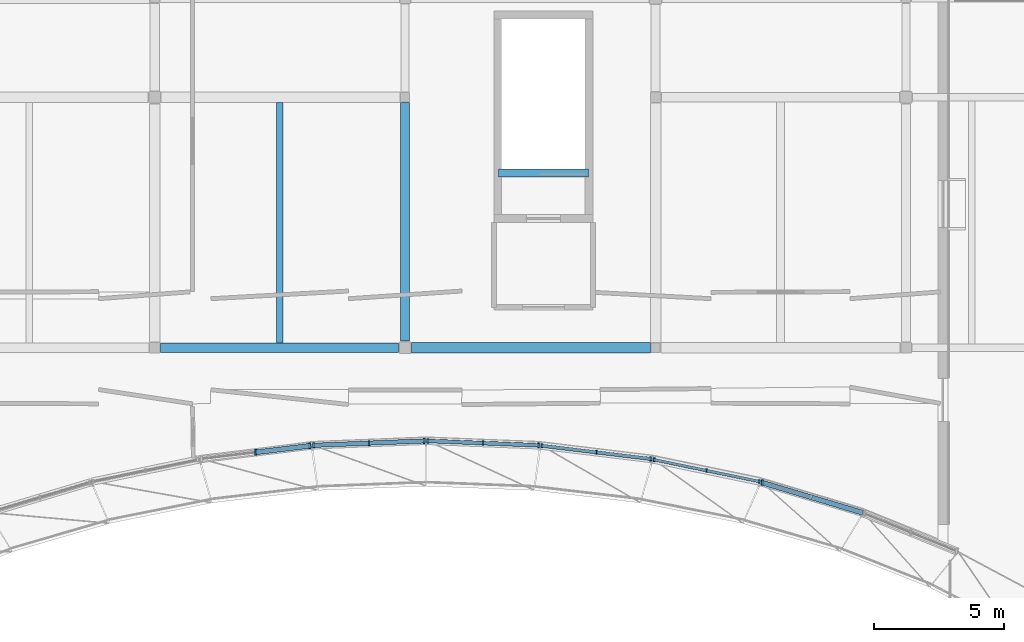
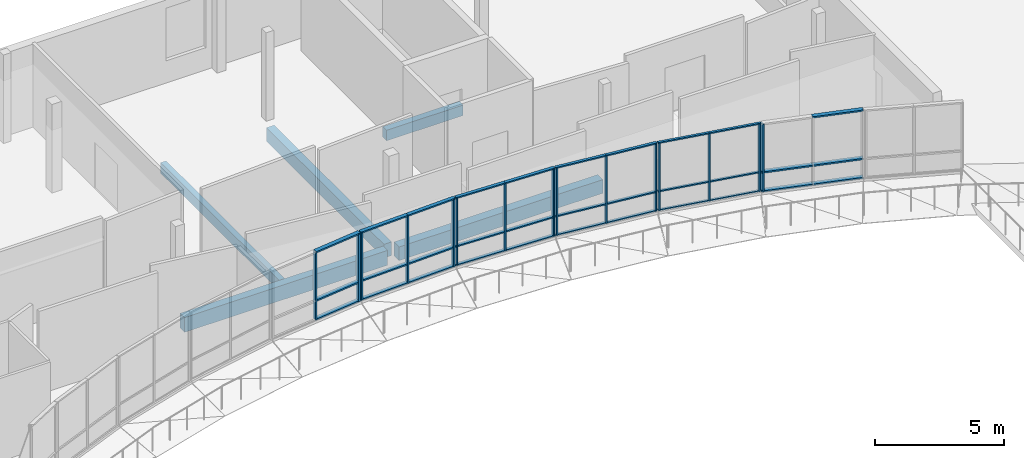
# One storey, part 6 of 18: 47 members, 5 beams, 6 elements without a shape of their own.
"""IFC4 building model written with IfcOpenShell, lengths in metres."""

from ifc_helpers import new_model, si_unit, direction, frame, origin, origin_2d, place, context, subcontext, project, spatial, rectangle, extrude, material, material_profile, profile_set, type_object, element, aggregate, save


model = new_model("IFC4")

# Units and contexts
model_context = context("Model", 3, precision=1e-05, world=origin(), true_north=direction((0.0, 1.0)))
body_context = subcontext(model_context, "Body", "Model", "MODEL_VIEW")
ifc_project = project(units=[si_unit("LENGTHUNIT", "METRE"), si_unit("AREAUNIT", "SQUARE_METRE"), si_unit("VOLUMEUNIT", "CUBIC_METRE"), si_unit("PLANEANGLEUNIT", "RADIAN"), si_unit("MASSUNIT", "GRAM", prefix="KILO")], contexts=[model_context])

# Site, building, storey
site_placement = place(None, origin())
site = spatial("IfcSite", under=ifc_project, at=site_placement, CompositionType="ELEMENT")
building_placement = place(site_placement, origin())
building = spatial("IfcBuilding", under=site, at=building_placement, Name="Mzevani Central Library", CompositionType="ELEMENT")
storey_placement = place(building_placement, frame((0.0, 0.0, 18.300048828125)))
storey = spatial("IfcBuildingStorey", under=building, at=storey_placement, Name="L04", CompositionType="ELEMENT", Elevation=18.300048828125)

# Beams
ifc_material_1 = material(Name="Concrete C35/45", Category="concrete")
ifc_material_profile_1 = material_profile(ifc_material_1, rectangle(XDim=0.300048828125, YDim=0.5, at=origin_2d()), Name="RC B300x500")
ifc_profile_set_1 = profile_set([ifc_material_profile_1], Name="Concrete C35/45")
beam_type_1 = type_object("IfcBeamType", Name="Beam RC 300x500", PredefinedType="BEAM", material=ifc_profile_set_1)
beam_1_placement = place(storey_placement, frame((86.780029296875, 106.699951171875, -0.25), z_axis=(1.0, 0.0, 0.0), x_axis=(0.0, 1.0, 0.0)))
element("IfcBeam", 1, at=beam_1_placement, inside=storey, type_object=beam_type_1, Name="L04 Core C3B Atrium East Escape Stair Stair Opening Trimmer Beam", PredefinedType="BEAM", context=body_context, shape_type="SweptSolid", body=[
    extrude(rectangle(XDim=0.300048828125, YDim=0.5, at=origin_2d()), origin(), (0.0, 0.0, 1.0), 3.43994140625),
])
ifc_material_profile_2 = material_profile(ifc_material_1, rectangle(XDim=0.35009765625, YDim=0.64990234375, at=origin_2d()), Name="RC B350x650")
ifc_profile_set_2 = profile_set([ifc_material_profile_2], Name="Concrete C35/45")
beam_type_2 = type_object("IfcBeamType", Name="Beam RC 350x650", PredefinedType="BEAM", material=ifc_profile_set_2)
beam_2_placement = place(storey_placement, frame((83.199951171875, 100.25, -0.60498046875), z_axis=(0.0, 1.0, 0.0), x_axis=(-1.0, 0.0, 0.0)))
element("IfcBeam", 2, at=beam_2_placement, inside=storey, type_object=beam_type_2, Name="L04 V3 Frame Beam B-05 (740)", PredefinedType="BEAM", context=body_context, shape_type="SweptSolid", body=[
    extrude(rectangle(XDim=0.35009765625, YDim=0.64990234375, at=origin_2d()), origin(), (0.0, 0.0, 1.0), 9.14990234375),
])
ifc_material_profile_3 = material_profile(ifc_material_1, rectangle(XDim=0.35009765625, YDim=0.699951171875, at=origin_2d()), Name="RC B350x700")
ifc_profile_set_3 = profile_set([ifc_material_profile_3], Name="Concrete C35/45")
beam_type_3 = type_object("IfcBeamType", Name="Beam RC 350x700", PredefinedType="BEAM", material=ifc_profile_set_3)
beam_3_placement = place(storey_placement, frame((73.824951171875, 100.0, -0.630126953125), z_axis=(1.0, 0.0, 0.0), x_axis=(0.0, 1.0, 0.0)))
element("IfcBeam", 3, at=beam_3_placement, inside=storey, type_object=beam_type_3, Name="L04 V3 Girder B-06 (709)", PredefinedType="BEAM", context=body_context, shape_type="SweptSolid", body=[
    extrude(rectangle(XDim=0.35009765625, YDim=0.699951171875, at=origin_2d()), origin(), (0.0, 0.0, 1.0), 9.125),
])
ifc_material_profile_4 = material_profile(ifc_material_1, rectangle(XDim=0.39990234375, YDim=0.64990234375, at=origin_2d()), Name="RC B400x650")
ifc_profile_set_4 = profile_set([ifc_material_profile_4], Name="Concrete C35/45")
beam_type_4 = type_object("IfcBeamType", Name="Beam RC 400x650", PredefinedType="BEAM", material=ifc_profile_set_4)
beam_4_placement = place(storey_placement, frame((83.449951171875, 100.0, -0.60498046875), z_axis=(1.0, 0.0, 0.0), x_axis=(0.0, 1.0, 0.0)))
element("IfcBeam", 4, at=beam_4_placement, inside=storey, type_object=beam_type_4, Name="L04 V3 Girder B-07 (710)", PredefinedType="BEAM", context=body_context, shape_type="SweptSolid", body=[
    extrude(rectangle(XDim=0.39990234375, YDim=0.64990234375, at=origin_2d()), origin(), (0.0, 0.0, 1.0), 9.150146484375),
])

# Curtain wall, members
ifc_material_2 = material(Name="Thermally broken aluminium and Low-E triple glazing", Category="aluminium")
curtain_wall_type_1 = type_object("IfcCurtainWallType", Name="Reading Hall Northlight Curtain Wall", PredefinedType="NOTDEFINED", material=ifc_material_2)
curtain_wall_1_placement = place(storey_placement, origin())
curtain_wall_1 = element("IfcCurtainWall", 5, at=curtain_wall_1_placement, inside=storey, type_object=curtain_wall_type_1, Name="L04 Elliptical Court Curtain Wall 10", PredefinedType="NOTDEFINED")
ifc_material_3 = material(Name="Thermally broken aluminium AW-6060", Category="aluminium")
ifc_material_profile_5 = material_profile(ifc_material_3, rectangle(XDim=0.06005859375, YDim=0.139892578125, at=origin_2d()), Name="ALU M60x140")
ifc_profile_set_5 = profile_set([ifc_material_profile_5], Name="Thermally broken aluminium AW-6060")
member_type_1 = type_object("IfcMemberType", Name="CW Mullion 60x140", PredefinedType="MULLION", material=ifc_profile_set_5)
member_1_placement = place(storey_placement, frame((96.76318359375, 94.8759765625, 0.719970703125), z_axis=(0.0, 0.0, 1.0), x_axis=(1.0, 0.0, 0.0)))
member_1 = element("IfcMember", 6, at=member_1_placement, type_object=member_type_1, Name="L04 Elliptical Court Curtain Wall 10 Mullion 1", PredefinedType="MULLION", context=body_context, shape_type="SweptSolid", body=[
    extrude(rectangle(XDim=0.06005859375, YDim=0.139892578125, at=origin_2d()), origin(), (0.0, 0.0, 1.0), 3.199951171875),
])
member_2_placement = place(storey_placement, frame((94.756103515625, 95.290771484375, 0.719970703125), z_axis=(0.0, 0.0, 1.0), x_axis=(1.0, 0.0, 0.0)))
member_2 = element("IfcMember", 7, at=member_2_placement, type_object=member_type_1, Name="L04 Elliptical Court Curtain Wall 10 Mullion 2", PredefinedType="MULLION", context=body_context, shape_type="SweptSolid", body=[
    extrude(rectangle(XDim=0.06005859375, YDim=0.139892578125, at=origin_2d()), origin(), (0.0, 0.0, 1.0), 3.199951171875),
])
member_3_placement = place(storey_placement, frame((92.748779296875, 95.70556640625, 0.719970703125), z_axis=(0.0, 0.0, 1.0), x_axis=(1.0, 0.0, 0.0)))
member_3 = element("IfcMember", 8, at=member_3_placement, type_object=member_type_1, Name="L04 Elliptical Court Curtain Wall 10 Mullion 3", PredefinedType="MULLION", context=body_context, shape_type="SweptSolid", body=[
    extrude(rectangle(XDim=0.06005859375, YDim=0.139892578125, at=origin_2d()), origin(), (0.0, 0.0, 1.0), 3.199951171875),
])

curtain_wall_type_2 = type_object("IfcCurtainWallType", Name="Elliptical Court Unitised Curtain Wall", PredefinedType="NOTDEFINED", material=ifc_material_2)
curtain_wall_2_placement = place(storey_placement, origin())
curtain_wall_2 = element("IfcCurtainWall", 9, at=curtain_wall_2_placement, inside=storey, type_object=curtain_wall_type_2, Name="L04 Elliptical Court Curtain Wall 11", PredefinedType="NOTDEFINED")
ifc_material_profile_6 = material_profile(ifc_material_3, rectangle(XDim=0.06005859375, YDim=0.159912109375, at=origin_2d()), Name="ALU M60x160")
ifc_profile_set_6 = profile_set([ifc_material_profile_6], Name="Thermally broken aluminium AW-6060")
member_type_2 = type_object("IfcMemberType", Name="CW Mullion 60x160", PredefinedType="MULLION", material=ifc_profile_set_6)
member_4_placement = place(storey_placement, frame((92.611572265625, 95.73876953125, 0.719970703125), z_axis=(0.0, 0.0, 1.0), x_axis=(1.0, 0.0, 0.0)))
member_4 = element("IfcMember", 10, at=member_4_placement, type_object=member_type_2, Name="L04 Elliptical Court Curtain Wall 11 Mullion 1", PredefinedType="MULLION", context=body_context, shape_type="SweptSolid", body=[
    extrude(rectangle(XDim=0.06005859375, YDim=0.159912109375, at=origin_2d()), origin(), (0.0, 0.0, 1.0), 3.199951171875),
])
member_5_placement = place(storey_placement, frame((90.531494140625, 95.990478515625, 0.719970703125), z_axis=(0.0, 0.0, 1.0), x_axis=(1.0, 0.0, 0.0)))
member_5 = element("IfcMember", 11, at=member_5_placement, type_object=member_type_2, Name="L04 Elliptical Court Curtain Wall 11 Mullion 2", PredefinedType="MULLION", context=body_context, shape_type="SweptSolid", body=[
    extrude(rectangle(XDim=0.06005859375, YDim=0.159912109375, at=origin_2d()), origin(), (0.0, 0.0, 1.0), 3.199951171875),
])
member_6_placement = place(storey_placement, frame((88.451416015625, 96.242431640625, 0.719970703125), z_axis=(0.0, 0.0, 1.0), x_axis=(1.0, 0.0, 0.0)))
member_6 = element("IfcMember", 12, at=member_6_placement, type_object=member_type_2, Name="L04 Elliptical Court Curtain Wall 11 Mullion 3", PredefinedType="MULLION", context=body_context, shape_type="SweptSolid", body=[
    extrude(rectangle(XDim=0.06005859375, YDim=0.159912109375, at=origin_2d()), origin(), (0.0, 0.0, 1.0), 3.199951171875),
])

curtain_wall_3_placement = place(storey_placement, origin())
curtain_wall_3 = element("IfcCurtainWall", 13, at=curtain_wall_3_placement, inside=storey, type_object=curtain_wall_type_2, Name="L04 Elliptical Court Curtain Wall 12", PredefinedType="NOTDEFINED")
ifc_material_profile_7 = material_profile(ifc_material_3, rectangle(XDim=0.06005859375, YDim=0.179931640625, at=origin_2d()), Name="ALU M60x180")
ifc_profile_set_7 = profile_set([ifc_material_profile_7], Name="Thermally broken aluminium AW-6060")
member_type_3 = type_object("IfcMemberType", Name="CW Mullion 60x180", PredefinedType="MULLION", material=ifc_profile_set_7)
member_7_placement = place(storey_placement, frame((88.30712890625, 96.260009765625, 0.719970703125), z_axis=(0.0, 0.0, 1.0), x_axis=(1.0, 0.0, 0.0)))
member_7 = element("IfcMember", 14, at=member_7_placement, type_object=member_type_3, Name="L04 Elliptical Court Curtain Wall 12 Mullion 1", PredefinedType="MULLION", context=body_context, shape_type="SweptSolid", body=[
    extrude(rectangle(XDim=0.06005859375, YDim=0.179931640625, at=origin_2d()), origin(), (0.0, 0.0, 1.0), 3.199951171875),
])
member_8_placement = place(storey_placement, frame((86.190185546875, 96.344482421875, 0.719970703125), z_axis=(0.0, 0.0, 1.0), x_axis=(1.0, 0.0, 0.0)))
member_8 = element("IfcMember", 15, at=member_8_placement, type_object=member_type_3, Name="L04 Elliptical Court Curtain Wall 12 Mullion 2", PredefinedType="MULLION", context=body_context, shape_type="SweptSolid", body=[
    extrude(rectangle(XDim=0.06005859375, YDim=0.179931640625, at=origin_2d()), origin(), (0.0, 0.0, 1.0), 3.199951171875),
])
member_9_placement = place(storey_placement, frame((84.073486328125, 96.428955078125, 0.719970703125), z_axis=(0.0, 0.0, 1.0), x_axis=(1.0, 0.0, 0.0)))
member_9 = element("IfcMember", 16, at=member_9_placement, type_object=member_type_3, Name="L04 Elliptical Court Curtain Wall 12 Mullion 3", PredefinedType="MULLION", context=body_context, shape_type="SweptSolid", body=[
    extrude(rectangle(XDim=0.06005859375, YDim=0.179931640625, at=origin_2d()), origin(), (0.0, 0.0, 1.0), 3.199951171875),
])

curtain_wall_4_placement = place(storey_placement, origin())
curtain_wall_4 = element("IfcCurtainWall", 17, at=curtain_wall_4_placement, inside=storey, type_object=curtain_wall_type_1, Name="L04 Elliptical Court Curtain Wall 13", PredefinedType="NOTDEFINED")
ifc_material_profile_8 = material_profile(ifc_material_3, rectangle(XDim=0.06494140625, YDim=0.199951171875, at=origin_2d()), Name="ALU M65x200")
ifc_profile_set_8 = profile_set([ifc_material_profile_8], Name="Thermally broken aluminium AW-6060")
member_type_4 = type_object("IfcMemberType", Name="CW Mullion 65x200", PredefinedType="MULLION", material=ifc_profile_set_8)
member_10_placement = place(storey_placement, frame((83.926513671875, 96.428955078125, 0.719970703125), z_axis=(0.0, 0.0, 1.0), x_axis=(1.0, 0.0, 0.0)))
member_10 = element("IfcMember", 18, at=member_10_placement, type_object=member_type_4, Name="L04 Elliptical Court Curtain Wall 13 Mullion 1", PredefinedType="MULLION", context=body_context, shape_type="SweptSolid", body=[
    extrude(rectangle(XDim=0.06494140625, YDim=0.199951171875, at=origin_2d()), origin(), (0.0, 0.0, 1.0), 3.199951171875),
])
member_11_placement = place(storey_placement, frame((81.809814453125, 96.344482421875, 0.719970703125), z_axis=(0.0, 0.0, 1.0), x_axis=(1.0, 0.0, 0.0)))
member_11 = element("IfcMember", 19, at=member_11_placement, type_object=member_type_4, Name="L04 Elliptical Court Curtain Wall 13 Mullion 2", PredefinedType="MULLION", context=body_context, shape_type="SweptSolid", body=[
    extrude(rectangle(XDim=0.06494140625, YDim=0.199951171875, at=origin_2d()), origin(), (0.0, 0.0, 1.0), 3.199951171875),
])
member_12_placement = place(storey_placement, frame((79.69287109375, 96.260009765625, 0.719970703125), z_axis=(0.0, 0.0, 1.0), x_axis=(1.0, 0.0, 0.0)))
member_12 = element("IfcMember", 20, at=member_12_placement, type_object=member_type_4, Name="L04 Elliptical Court Curtain Wall 13 Mullion 3", PredefinedType="MULLION", context=body_context, shape_type="SweptSolid", body=[
    extrude(rectangle(XDim=0.06494140625, YDim=0.199951171875, at=origin_2d()), origin(), (0.0, 0.0, 1.0), 3.199951171875),
])

# Curtain wall, member
curtain_wall_5_placement = place(storey_placement, origin())
curtain_wall_5 = element("IfcCurtainWall", 21, at=curtain_wall_5_placement, inside=storey, type_object=curtain_wall_type_2, Name="L04 Elliptical Court Curtain Wall 9", PredefinedType="NOTDEFINED")
ifc_material_profile_9 = material_profile(ifc_material_3, rectangle(XDim=0.070068359375, YDim=0.219970703125, at=origin_2d()), Name="ALU M70x220")
ifc_profile_set_9 = profile_set([ifc_material_profile_9], Name="Thermally broken aluminium AW-6060")
member_type_5 = type_object("IfcMemberType", Name="CW Mullion 70x220", PredefinedType="MULLION", material=ifc_profile_set_9)
member_13_placement = place(storey_placement, frame((96.8916015625, 94.830322265625, 0.719970703125), z_axis=(0.0, 0.0, 1.0), x_axis=(1.0, 0.0, 0.0)))
member_13 = element("IfcMember", 22, at=member_13_placement, type_object=member_type_5, Name="L04 Elliptical Court Curtain Wall 9 Mullion 3", PredefinedType="MULLION", context=body_context, shape_type="SweptSolid", body=[
    extrude(rectangle(XDim=0.070068359375, YDim=0.219970703125, at=origin_2d()), origin(), (0.0, 0.0, 1.0), 3.199951171875),
])

# Curtain wall, members
curtain_wall_6_placement = place(storey_placement, origin())
curtain_wall_6 = element("IfcCurtainWall", 23, at=curtain_wall_6_placement, inside=storey, type_object=curtain_wall_type_2, Name="L04 Elliptical Court Curtain Wall 14", PredefinedType="NOTDEFINED")
member_14_placement = place(storey_placement, frame((79.548583984375, 96.242431640625, 0.719970703125), z_axis=(0.0, 0.0, 1.0), x_axis=(1.0, 0.0, 0.0)))
member_14 = element("IfcMember", 24, at=member_14_placement, type_object=member_type_5, Name="L04 Elliptical Court Curtain Wall 14 Mullion 1", PredefinedType="MULLION", context=body_context, shape_type="SweptSolid", body=[
    extrude(rectangle(XDim=0.070068359375, YDim=0.219970703125, at=origin_2d()), origin(), (0.0, 0.0, 1.0), 3.199951171875),
])
member_15_placement = place(storey_placement, frame((77.468505859375, 95.990478515625, 0.719970703125), z_axis=(0.0, 0.0, 1.0), x_axis=(1.0, 0.0, 0.0)))
member_15 = element("IfcMember", 25, at=member_15_placement, type_object=member_type_5, Name="L04 Elliptical Court Curtain Wall 14 Mullion 2", PredefinedType="MULLION", context=body_context, shape_type="SweptSolid", body=[
    extrude(rectangle(XDim=0.070068359375, YDim=0.219970703125, at=origin_2d()), origin(), (0.0, 0.0, 1.0), 3.199951171875),
])

# Member
ifc_material_profile_10 = material_profile(ifc_material_3, rectangle(XDim=0.110107421875, YDim=0.06005859375, at=origin_2d()), Name="ALU T60x110")
ifc_profile_set_10 = profile_set([ifc_material_profile_10], Name="Thermally broken aluminium AW-6060")
member_type_6 = type_object("IfcMemberType", Name="CW Transom 60x110", PredefinedType="USERDEFINED", material=ifc_profile_set_10)
member_16_placement = place(storey_placement, frame((96.812255859375, 94.865966796875, 0.719970703125), z_axis=(-0.979317658988, 0.202328749304, 0.0), x_axis=(-0.202328749304, -0.979317658988, 0.0)))
member_16 = element("IfcMember", 26, at=member_16_placement, type_object=member_type_6, Name="L04 Elliptical Court Curtain Wall 10 Transom 1", ObjectType="TRANSOM", PredefinedType="USERDEFINED", context=body_context, shape_type="SweptSolid", body=[
    extrude(rectangle(XDim=0.110107421875, YDim=0.06005859375, at=origin_2d()), origin(), (0.0, 0.0, 1.0), 2.099609375),
])

member_17_placement = place(storey_placement, frame((96.812255859375, 94.865966796875, 1.619873046875), z_axis=(-0.979317658988, 0.202328749304, 0.0), x_axis=(-0.202328749304, -0.979317658988, 0.0)))
member_17 = element("IfcMember", 27, at=member_17_placement, type_object=member_type_6, Name="L04 Elliptical Court Curtain Wall 10 Transom 2", ObjectType="TRANSOM", PredefinedType="USERDEFINED", context=body_context, shape_type="SweptSolid", body=[
    extrude(rectangle(XDim=0.110107421875, YDim=0.06005859375, at=origin_2d()), origin(), (0.0, 0.0, 1.0), 2.099609375),
])

member_18_placement = place(storey_placement, frame((96.812255859375, 94.865966796875, 3.919921875), z_axis=(-0.979317658988, 0.202328749304, 0.0), x_axis=(-0.202328749304, -0.979317658988, 0.0)))
member_18 = element("IfcMember", 28, at=member_18_placement, type_object=member_type_6, Name="L04 Elliptical Court Curtain Wall 10 Transom 3", ObjectType="TRANSOM", PredefinedType="USERDEFINED", context=body_context, shape_type="SweptSolid", body=[
    extrude(rectangle(XDim=0.110107421875, YDim=0.06005859375, at=origin_2d()), origin(), (0.0, 0.0, 1.0), 2.099609375),
])

member_19_placement = place(storey_placement, frame((94.756103515625, 95.290771484375, 0.719970703125), z_axis=(-0.979294612806, 0.202440266076, 0.0), x_axis=(-0.202440266076, -0.979294612806, 0.0)))
member_19 = element("IfcMember", 29, at=member_19_placement, type_object=member_type_6, Name="L04 Elliptical Court Curtain Wall 10 Transom 4", ObjectType="TRANSOM", PredefinedType="USERDEFINED", context=body_context, shape_type="SweptSolid", body=[
    extrude(rectangle(XDim=0.110107421875, YDim=0.06005859375, at=origin_2d()), origin(), (0.0, 0.0, 1.0), 2.099609375),
])

member_20_placement = place(storey_placement, frame((94.756103515625, 95.290771484375, 1.619873046875), z_axis=(-0.979294612806, 0.202440266076, 0.0), x_axis=(-0.202440266076, -0.979294612806, 0.0)))
member_20 = element("IfcMember", 30, at=member_20_placement, type_object=member_type_6, Name="L04 Elliptical Court Curtain Wall 10 Transom 5", ObjectType="TRANSOM", PredefinedType="USERDEFINED", context=body_context, shape_type="SweptSolid", body=[
    extrude(rectangle(XDim=0.110107421875, YDim=0.06005859375, at=origin_2d()), origin(), (0.0, 0.0, 1.0), 2.099609375),
])

member_21_placement = place(storey_placement, frame((94.756103515625, 95.290771484375, 3.919921875), z_axis=(-0.979294612806, 0.202440266076, 0.0), x_axis=(-0.202440266076, -0.979294612806, 0.0)))
member_21 = element("IfcMember", 31, at=member_21_placement, type_object=member_type_6, Name="L04 Elliptical Court Curtain Wall 10 Transom 6", ObjectType="TRANSOM", PredefinedType="USERDEFINED", context=body_context, shape_type="SweptSolid", body=[
    extrude(rectangle(XDim=0.110107421875, YDim=0.06005859375, at=origin_2d()), origin(), (0.0, 0.0, 1.0), 2.099609375),
])

aggregate(curtain_wall_1, [member_1, member_2, member_3, member_16, member_17, member_18, member_19, member_20, member_21])

ifc_material_profile_11 = material_profile(ifc_material_3, rectangle(XDim=0.1298828125, YDim=0.06005859375, at=origin_2d()), Name="ALU T60x130")
ifc_profile_set_11 = profile_set([ifc_material_profile_11], Name="Thermally broken aluminium AW-6060")
member_type_7 = type_object("IfcMemberType", Name="CW Transom 60x130", PredefinedType="USERDEFINED", material=ifc_profile_set_11)
member_22_placement = place(storey_placement, frame((92.6611328125, 95.732666015625, 0.719970703125), z_axis=(-0.992751897741, 0.120181818642, 0.0), x_axis=(-0.120181818642, -0.992751897741, 0.0)))
member_22 = element("IfcMember", 32, at=member_22_placement, type_object=member_type_7, Name="L04 Elliptical Court Curtain Wall 11 Transom 1", ObjectType="TRANSOM", PredefinedType="USERDEFINED", context=body_context, shape_type="SweptSolid", body=[
    extrude(rectangle(XDim=0.1298828125, YDim=0.06005859375, at=origin_2d()), origin(), (0.0, 0.0, 1.0), 2.145263671875),
])

member_23_placement = place(storey_placement, frame((92.6611328125, 95.732666015625, 1.619873046875), z_axis=(-0.992751897741, 0.120181818642, 0.0), x_axis=(-0.120181818642, -0.992751897741, 0.0)))
member_23 = element("IfcMember", 33, at=member_23_placement, type_object=member_type_7, Name="L04 Elliptical Court Curtain Wall 11 Transom 2", ObjectType="TRANSOM", PredefinedType="USERDEFINED", context=body_context, shape_type="SweptSolid", body=[
    extrude(rectangle(XDim=0.1298828125, YDim=0.06005859375, at=origin_2d()), origin(), (0.0, 0.0, 1.0), 2.145263671875),
])

member_24_placement = place(storey_placement, frame((92.6611328125, 95.732666015625, 3.919921875), z_axis=(-0.992751897741, 0.120181818642, 0.0), x_axis=(-0.120181818642, -0.992751897741, 0.0)))
member_24 = element("IfcMember", 34, at=member_24_placement, type_object=member_type_7, Name="L04 Elliptical Court Curtain Wall 11 Transom 3", ObjectType="TRANSOM", PredefinedType="USERDEFINED", context=body_context, shape_type="SweptSolid", body=[
    extrude(rectangle(XDim=0.1298828125, YDim=0.06005859375, at=origin_2d()), origin(), (0.0, 0.0, 1.0), 2.145263671875),
])

member_25_placement = place(storey_placement, frame((90.531494140625, 95.990478515625, 0.719970703125), z_axis=(-0.99273831301, 0.120293981068, 0.0), x_axis=(-0.120293981068, -0.99273831301, 0.0)))
member_25 = element("IfcMember", 35, at=member_25_placement, type_object=member_type_7, Name="L04 Elliptical Court Curtain Wall 11 Transom 4", ObjectType="TRANSOM", PredefinedType="USERDEFINED", context=body_context, shape_type="SweptSolid", body=[
    extrude(rectangle(XDim=0.1298828125, YDim=0.06005859375, at=origin_2d()), origin(), (0.0, 0.0, 1.0), 2.145263671875),
])

member_26_placement = place(storey_placement, frame((90.531494140625, 95.990478515625, 1.619873046875), z_axis=(-0.99273831301, 0.120293981068, 0.0), x_axis=(-0.120293981068, -0.99273831301, 0.0)))
member_26 = element("IfcMember", 36, at=member_26_placement, type_object=member_type_7, Name="L04 Elliptical Court Curtain Wall 11 Transom 5", ObjectType="TRANSOM", PredefinedType="USERDEFINED", context=body_context, shape_type="SweptSolid", body=[
    extrude(rectangle(XDim=0.1298828125, YDim=0.06005859375, at=origin_2d()), origin(), (0.0, 0.0, 1.0), 2.145263671875),
])

member_27_placement = place(storey_placement, frame((90.531494140625, 95.990478515625, 3.919921875), z_axis=(-0.99273831301, 0.120293981068, 0.0), x_axis=(-0.120293981068, -0.99273831301, 0.0)))
member_27 = element("IfcMember", 37, at=member_27_placement, type_object=member_type_7, Name="L04 Elliptical Court Curtain Wall 11 Transom 6", ObjectType="TRANSOM", PredefinedType="USERDEFINED", context=body_context, shape_type="SweptSolid", body=[
    extrude(rectangle(XDim=0.1298828125, YDim=0.06005859375, at=origin_2d()), origin(), (0.0, 0.0, 1.0), 2.145263671875),
])

aggregate(curtain_wall_2, [member_4, member_5, member_6, member_22, member_23, member_24, member_25, member_26, member_27])

ifc_material_profile_12 = material_profile(ifc_material_3, rectangle(XDim=0.14990234375, YDim=0.06005859375, at=origin_2d()), Name="ALU T60x150")
ifc_profile_set_12 = profile_set([ifc_material_profile_12], Name="Thermally broken aluminium AW-6060")
member_type_8 = type_object("IfcMemberType", Name="CW Transom 60x150", PredefinedType="USERDEFINED", material=ifc_profile_set_12)
member_28_placement = place(storey_placement, frame((88.35693359375, 96.258056640625, 0.719970703125), z_axis=(-0.999205448666, 0.039855631417, 0.0), x_axis=(-0.039855631417, -0.999205448666, 0.0)))
member_28 = element("IfcMember", 38, at=member_28_placement, type_object=member_type_8, Name="L04 Elliptical Court Curtain Wall 12 Transom 1", ObjectType="TRANSOM", PredefinedType="USERDEFINED", context=body_context, shape_type="SweptSolid", body=[
    extrude(rectangle(XDim=0.14990234375, YDim=0.06005859375, at=origin_2d()), origin(), (0.0, 0.0, 1.0), 2.16845703125),
])

member_29_placement = place(storey_placement, frame((88.35693359375, 96.258056640625, 1.619873046875), z_axis=(-0.999205448666, 0.039855631417, 0.0), x_axis=(-0.039855631417, -0.999205448666, 0.0)))
member_29 = element("IfcMember", 39, at=member_29_placement, type_object=member_type_8, Name="L04 Elliptical Court Curtain Wall 12 Transom 2", ObjectType="TRANSOM", PredefinedType="USERDEFINED", context=body_context, shape_type="SweptSolid", body=[
    extrude(rectangle(XDim=0.14990234375, YDim=0.06005859375, at=origin_2d()), origin(), (0.0, 0.0, 1.0), 2.16845703125),
])

member_30_placement = place(storey_placement, frame((88.35693359375, 96.258056640625, 3.919921875), z_axis=(-0.999205448666, 0.039855631417, 0.0), x_axis=(-0.039855631417, -0.999205448666, 0.0)))
member_30 = element("IfcMember", 40, at=member_30_placement, type_object=member_type_8, Name="L04 Elliptical Court Curtain Wall 12 Transom 3", ObjectType="TRANSOM", PredefinedType="USERDEFINED", context=body_context, shape_type="SweptSolid", body=[
    extrude(rectangle(XDim=0.14990234375, YDim=0.06005859375, at=origin_2d()), origin(), (0.0, 0.0, 1.0), 2.16845703125),
])

member_31_placement = place(storey_placement, frame((86.190185546875, 96.344482421875, 0.719970703125), z_axis=(-0.999205448666, 0.039855631417, 0.0), x_axis=(-0.039855631417, -0.999205448666, 0.0)))
member_31 = element("IfcMember", 41, at=member_31_placement, type_object=member_type_8, Name="L04 Elliptical Court Curtain Wall 12 Transom 4", ObjectType="TRANSOM", PredefinedType="USERDEFINED", context=body_context, shape_type="SweptSolid", body=[
    extrude(rectangle(XDim=0.14990234375, YDim=0.06005859375, at=origin_2d()), origin(), (0.0, 0.0, 1.0), 2.16845703125),
])

member_32_placement = place(storey_placement, frame((86.190185546875, 96.344482421875, 1.619873046875), z_axis=(-0.999205448666, 0.039855631417, 0.0), x_axis=(-0.039855631417, -0.999205448666, 0.0)))
member_32 = element("IfcMember", 42, at=member_32_placement, type_object=member_type_8, Name="L04 Elliptical Court Curtain Wall 12 Transom 5", ObjectType="TRANSOM", PredefinedType="USERDEFINED", context=body_context, shape_type="SweptSolid", body=[
    extrude(rectangle(XDim=0.14990234375, YDim=0.06005859375, at=origin_2d()), origin(), (0.0, 0.0, 1.0), 2.16845703125),
])

member_33_placement = place(storey_placement, frame((86.190185546875, 96.344482421875, 3.919921875), z_axis=(-0.999205448666, 0.039855631417, 0.0), x_axis=(-0.039855631417, -0.999205448666, 0.0)))
member_33 = element("IfcMember", 43, at=member_33_placement, type_object=member_type_8, Name="L04 Elliptical Court Curtain Wall 12 Transom 6", ObjectType="TRANSOM", PredefinedType="USERDEFINED", context=body_context, shape_type="SweptSolid", body=[
    extrude(rectangle(XDim=0.14990234375, YDim=0.06005859375, at=origin_2d()), origin(), (0.0, 0.0, 1.0), 2.16845703125),
])

aggregate(curtain_wall_3, [member_7, member_8, member_9, member_28, member_29, member_30, member_31, member_32, member_33])

ifc_material_profile_13 = material_profile(ifc_material_3, rectangle(XDim=0.169921875, YDim=0.06494140625, at=origin_2d()), Name="ALU T65x170")
ifc_profile_set_13 = profile_set([ifc_material_profile_13], Name="Thermally broken aluminium AW-6060")
member_type_9 = type_object("IfcMemberType", Name="CW Transom 65x170", PredefinedType="USERDEFINED", material=ifc_profile_set_13)
member_34_placement = place(storey_placement, frame((83.9765625, 96.430908203125, 0.719970703125), z_axis=(-0.999205448666, -0.039855631417, 0.0), x_axis=(0.039855631417, -0.999205448666, 0.0)))
member_34 = element("IfcMember", 44, at=member_34_placement, type_object=member_type_9, Name="L04 Elliptical Court Curtain Wall 13 Transom 1", ObjectType="TRANSOM", PredefinedType="USERDEFINED", context=body_context, shape_type="SweptSolid", body=[
    extrude(rectangle(XDim=0.169921875, YDim=0.06494140625, at=origin_2d()), origin(), (0.0, 0.0, 1.0), 2.16845703125),
])

member_35_placement = place(storey_placement, frame((83.9765625, 96.430908203125, 1.619873046875), z_axis=(-0.999205448666, -0.039855631417, 0.0), x_axis=(0.039855631417, -0.999205448666, 0.0)))
member_35 = element("IfcMember", 45, at=member_35_placement, type_object=member_type_9, Name="L04 Elliptical Court Curtain Wall 13 Transom 2", ObjectType="TRANSOM", PredefinedType="USERDEFINED", context=body_context, shape_type="SweptSolid", body=[
    extrude(rectangle(XDim=0.169921875, YDim=0.06494140625, at=origin_2d()), origin(), (0.0, 0.0, 1.0), 2.16845703125),
])

member_36_placement = place(storey_placement, frame((83.9765625, 96.430908203125, 3.919921875), z_axis=(-0.999205448666, -0.039855631417, 0.0), x_axis=(0.039855631417, -0.999205448666, 0.0)))
member_36 = element("IfcMember", 46, at=member_36_placement, type_object=member_type_9, Name="L04 Elliptical Court Curtain Wall 13 Transom 3", ObjectType="TRANSOM", PredefinedType="USERDEFINED", context=body_context, shape_type="SweptSolid", body=[
    extrude(rectangle(XDim=0.169921875, YDim=0.06494140625, at=origin_2d()), origin(), (0.0, 0.0, 1.0), 2.16845703125),
])

member_37_placement = place(storey_placement, frame((81.809814453125, 96.344482421875, 0.719970703125), z_axis=(-0.999205448666, -0.039855631417, 0.0), x_axis=(0.039855631417, -0.999205448666, 0.0)))
member_37 = element("IfcMember", 47, at=member_37_placement, type_object=member_type_9, Name="L04 Elliptical Court Curtain Wall 13 Transom 4", ObjectType="TRANSOM", PredefinedType="USERDEFINED", context=body_context, shape_type="SweptSolid", body=[
    extrude(rectangle(XDim=0.169921875, YDim=0.06494140625, at=origin_2d()), origin(), (0.0, 0.0, 1.0), 2.16845703125),
])

member_38_placement = place(storey_placement, frame((81.809814453125, 96.344482421875, 1.619873046875), z_axis=(-0.999205448666, -0.039855631417, 0.0), x_axis=(0.039855631417, -0.999205448666, 0.0)))
member_38 = element("IfcMember", 48, at=member_38_placement, type_object=member_type_9, Name="L04 Elliptical Court Curtain Wall 13 Transom 5", ObjectType="TRANSOM", PredefinedType="USERDEFINED", context=body_context, shape_type="SweptSolid", body=[
    extrude(rectangle(XDim=0.169921875, YDim=0.06494140625, at=origin_2d()), origin(), (0.0, 0.0, 1.0), 2.16845703125),
])

member_39_placement = place(storey_placement, frame((81.809814453125, 96.344482421875, 3.919921875), z_axis=(-0.999205448666, -0.039855631417, 0.0), x_axis=(0.039855631417, -0.999205448666, 0.0)))
member_39 = element("IfcMember", 49, at=member_39_placement, type_object=member_type_9, Name="L04 Elliptical Court Curtain Wall 13 Transom 6", ObjectType="TRANSOM", PredefinedType="USERDEFINED", context=body_context, shape_type="SweptSolid", body=[
    extrude(rectangle(XDim=0.169921875, YDim=0.06494140625, at=origin_2d()), origin(), (0.0, 0.0, 1.0), 2.16845703125),
])

aggregate(curtain_wall_4, [member_10, member_11, member_12, member_34, member_35, member_36, member_37, member_38, member_39])

ifc_material_profile_14 = material_profile(ifc_material_3, rectangle(XDim=0.18994140625, YDim=0.070068359375, at=origin_2d()), Name="ALU T70x190")
ifc_profile_set_14 = profile_set([ifc_material_profile_14], Name="Thermally broken aluminium AW-6060")
member_type_10 = type_object("IfcMemberType", Name="CW Transom 70x190", PredefinedType="USERDEFINED", material=ifc_profile_set_14)
member_40_placement = place(storey_placement, frame((100.738525390625, 93.67529296875, 0.719970703125), z_axis=(-0.957763475746, 0.287557167408, 0.0), x_axis=(-0.287557167408, -0.957763475746, 0.0)))
member_40 = element("IfcMember", 50, at=member_40_placement, type_object=member_type_10, Name="L04 Elliptical Court Curtain Wall 9 Transom 1", ObjectType="TRANSOM", PredefinedType="USERDEFINED", context=body_context, shape_type="SweptSolid", body=[
    extrude(rectangle(XDim=0.18994140625, YDim=0.070068359375, at=origin_2d()), origin(), (0.0, 0.0, 1.0), 2.033447265625),
])

member_41_placement = place(storey_placement, frame((100.738525390625, 93.67529296875, 1.619873046875), z_axis=(-0.957763475746, 0.287557167408, 0.0), x_axis=(-0.287557167408, -0.957763475746, 0.0)))
member_41 = element("IfcMember", 51, at=member_41_placement, type_object=member_type_10, Name="L04 Elliptical Court Curtain Wall 9 Transom 2", ObjectType="TRANSOM", PredefinedType="USERDEFINED", context=body_context, shape_type="SweptSolid", body=[
    extrude(rectangle(XDim=0.18994140625, YDim=0.070068359375, at=origin_2d()), origin(), (0.0, 0.0, 1.0), 2.033447265625),
])

member_42_placement = place(storey_placement, frame((100.738525390625, 93.67529296875, 3.919921875), z_axis=(-0.957763475746, 0.287557167408, 0.0), x_axis=(-0.287557167408, -0.957763475746, 0.0)))
member_42 = element("IfcMember", 52, at=member_42_placement, type_object=member_type_10, Name="L04 Elliptical Court Curtain Wall 9 Transom 3", ObjectType="TRANSOM", PredefinedType="USERDEFINED", context=body_context, shape_type="SweptSolid", body=[
    extrude(rectangle(XDim=0.18994140625, YDim=0.070068359375, at=origin_2d()), origin(), (0.0, 0.0, 1.0), 2.033447265625),
])

member_43_placement = place(storey_placement, frame((98.791015625, 94.260009765625, 0.719970703125), z_axis=(-0.957763475746, 0.287557167408, 0.0), x_axis=(-0.287557167408, -0.957763475746, 0.0)))
member_43 = element("IfcMember", 53, at=member_43_placement, type_object=member_type_10, Name="L04 Elliptical Court Curtain Wall 9 Transom 4", ObjectType="TRANSOM", PredefinedType="USERDEFINED", context=body_context, shape_type="SweptSolid", body=[
    extrude(rectangle(XDim=0.18994140625, YDim=0.070068359375, at=origin_2d()), origin(), (0.0, 0.0, 1.0), 2.033447265625),
])

member_44_placement = place(storey_placement, frame((98.791015625, 94.260009765625, 1.619873046875), z_axis=(-0.957763475746, 0.287557167408, 0.0), x_axis=(-0.287557167408, -0.957763475746, 0.0)))
member_44 = element("IfcMember", 54, at=member_44_placement, type_object=member_type_10, Name="L04 Elliptical Court Curtain Wall 9 Transom 5", ObjectType="TRANSOM", PredefinedType="USERDEFINED", context=body_context, shape_type="SweptSolid", body=[
    extrude(rectangle(XDim=0.18994140625, YDim=0.070068359375, at=origin_2d()), origin(), (0.0, 0.0, 1.0), 2.033447265625),
])

aggregate(curtain_wall_5, [member_13, member_40, member_41, member_42, member_43, member_44])

member_45_placement = place(storey_placement, frame((79.59814453125, 96.24853515625, 0.719970703125), z_axis=(-0.99273831301, -0.120293981068, 0.0), x_axis=(0.120293981068, -0.99273831301, 0.0)))
member_45 = element("IfcMember", 55, at=member_45_placement, type_object=member_type_10, Name="L04 Elliptical Court Curtain Wall 14 Transom 1", ObjectType="TRANSOM", PredefinedType="USERDEFINED", context=body_context, shape_type="SweptSolid", body=[
    extrude(rectangle(XDim=0.18994140625, YDim=0.070068359375, at=origin_2d()), origin(), (0.0, 0.0, 1.0), 2.145263671875),
])

member_46_placement = place(storey_placement, frame((79.59814453125, 96.24853515625, 1.619873046875), z_axis=(-0.99273831301, -0.120293981068, 0.0), x_axis=(0.120293981068, -0.99273831301, 0.0)))
member_46 = element("IfcMember", 56, at=member_46_placement, type_object=member_type_10, Name="L04 Elliptical Court Curtain Wall 14 Transom 2", ObjectType="TRANSOM", PredefinedType="USERDEFINED", context=body_context, shape_type="SweptSolid", body=[
    extrude(rectangle(XDim=0.18994140625, YDim=0.070068359375, at=origin_2d()), origin(), (0.0, 0.0, 1.0), 2.145263671875),
])

member_47_placement = place(storey_placement, frame((79.59814453125, 96.24853515625, 3.919921875), z_axis=(-0.99273831301, -0.120293981068, 0.0), x_axis=(0.120293981068, -0.99273831301, 0.0)))
member_47 = element("IfcMember", 57, at=member_47_placement, type_object=member_type_10, Name="L04 Elliptical Court Curtain Wall 14 Transom 3", ObjectType="TRANSOM", PredefinedType="USERDEFINED", context=body_context, shape_type="SweptSolid", body=[
    extrude(rectangle(XDim=0.18994140625, YDim=0.070068359375, at=origin_2d()), origin(), (0.0, 0.0, 1.0), 2.145263671875),
])

aggregate(curtain_wall_6, [member_14, member_15, member_45, member_46, member_47])

# Beam
ifc_material_profile_15 = material_profile(ifc_material_1, rectangle(XDim=0.25, YDim=0.5, at=origin_2d()), Name="RC J250x500")
ifc_profile_set_15 = profile_set([ifc_material_profile_15], Name="Concrete C35/45")
beam_type_5 = type_object("IfcBeamType", Name="Floor Joist RC 250x500", PredefinedType="JOIST", material=ifc_profile_set_15)
beam_5_placement = place(storey_placement, frame((78.39990234375, 100.175048828125, -0.530029296875), z_axis=(0.0, 1.0, 0.0), x_axis=(-1.0, 0.0, 0.0)))
element("IfcBeam", 58, at=beam_5_placement, inside=storey, type_object=beam_type_5, Name="L04 V3 Floor Joist BJ-02 (760)", PredefinedType="JOIST", context=body_context, shape_type="SweptSolid", body=[
    extrude(rectangle(XDim=0.25, YDim=0.5, at=origin_2d()), origin(), (0.0, 0.0, 1.0), 9.224853515625),
])

save(model, "model.ifc")
